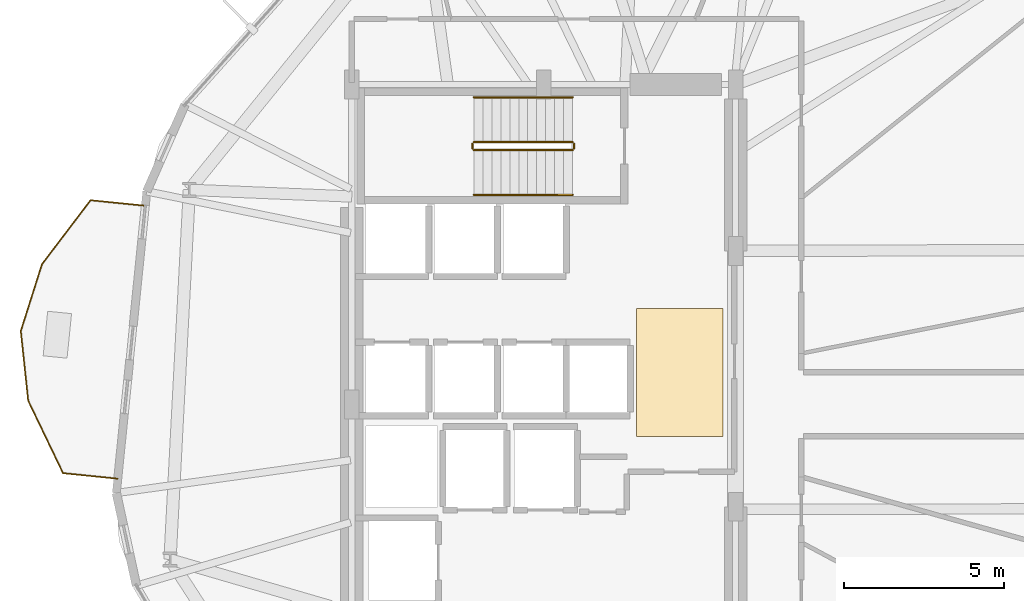
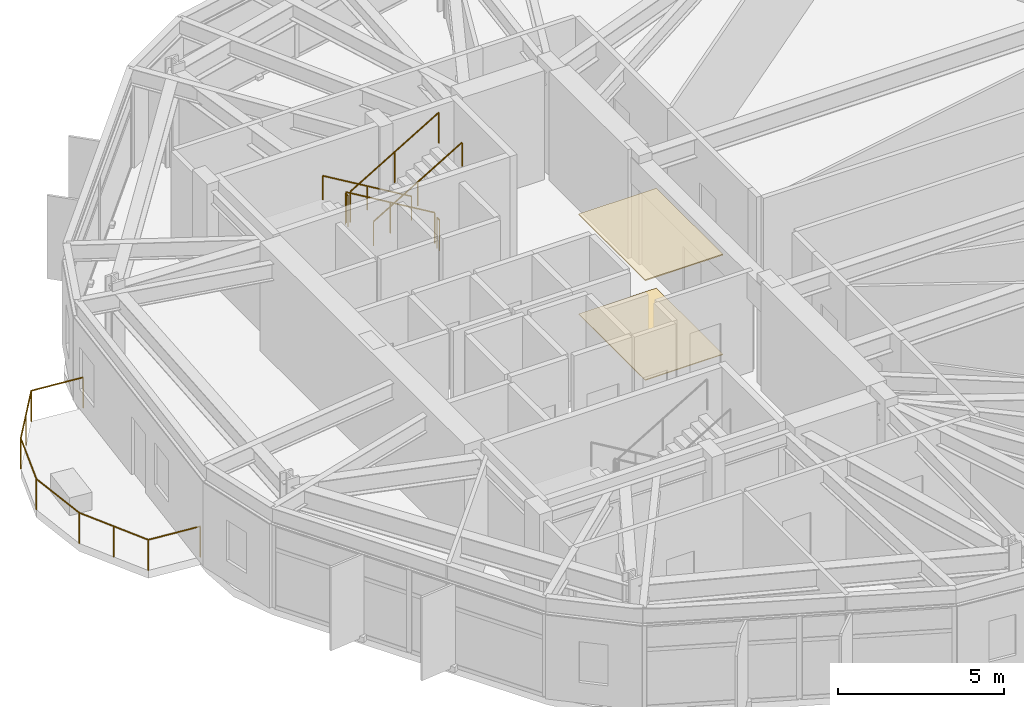
# One storey, part 21 of 22: 7 railings, 2 coverings.
"""IFC4 building model written with IfcOpenShell, lengths in metres."""

from ifc_helpers import new_model, si_unit, direction, frame, origin, origin_2d, place, context, subcontext, project, spatial, polyline, circle, outline, extrude, material, layer, layer_set, type_object, element, save


model = new_model("IFC4")

# Units and contexts
model_context = context("Model", 3, precision=1e-05, world=origin(), true_north=direction((0.0, 1.0)))
body_context = subcontext(model_context, "Body", "Model", "MODEL_VIEW")
ifc_project = project(units=[si_unit("LENGTHUNIT", "METRE"), si_unit("AREAUNIT", "SQUARE_METRE"), si_unit("VOLUMEUNIT", "CUBIC_METRE"), si_unit("PLANEANGLEUNIT", "RADIAN"), si_unit("MASSUNIT", "GRAM", prefix="KILO")], contexts=[model_context])

# Site, building, storey
site_placement = place(None, origin())
site = spatial("IfcSite", under=ifc_project, at=site_placement, CompositionType="ELEMENT")
building_placement = place(site_placement, origin())
building = spatial("IfcBuilding", under=site, at=building_placement, Name="Soratama Intermodal Tower", CompositionType="ELEMENT")
storey_placement = place(building_placement, frame((0.0, 0.0, 74.60009765625)))
storey = spatial("IfcBuildingStorey", under=building, at=storey_placement, Name="L17", CompositionType="ELEMENT", Elevation=74.60009765625)

# Coverings
ifc_material_1 = material(Name="Perforated mineral acoustic ceiling", Category="concrete")
ifc_layer_1 = layer(ifc_material_1, 0.0400390625)
ifc_layer_set_1 = layer_set([ifc_layer_1], Name="Perforated mineral acoustic ceiling")
covering_type_1 = type_object("IfcCoveringType", Name="CV-CEIL-ACOUSTIC", PredefinedType="CEILING", material=ifc_layer_set_1)
covering_1_placement = place(storey_placement, frame((0.0, 0.0, 3.659912109375)))
element("IfcCovering", 1, at=covering_1_placement, inside=storey, type_object=covering_type_1, Name="L17 Acoustic Ceiling", PredefinedType="CEILING", context=body_context, shape_type="SweptSolid", body=[
    extrude(outline(polyline([(41.5, 24.0), (44.199951171875, 24.0), (44.199951171875, 28.0), (41.5, 28.0), (41.5, 24.0)])), origin(), (0.0, 0.0, 1.0), 0.0400390625),
])
ifc_material_2 = material(Name="Polished Andean stone terrazzo flooring", Category="masonry")
ifc_layer_2 = layer(ifc_material_2, 0.030029296875)
ifc_layer_set_2 = layer_set([ifc_layer_2], Name="Polished Andean stone terrazzo flooring")
covering_type_2 = type_object("IfcCoveringType", Name="CV-FLOR-TERRAZZO", PredefinedType="FLOORING", material=ifc_layer_set_2)
covering_2_placement = place(storey_placement, origin())
element("IfcCovering", 2, at=covering_2_placement, inside=storey, type_object=covering_type_2, Name="L17 Lobby Terrazzo Flooring", PredefinedType="FLOORING", context=body_context, shape_type="SweptSolid", body=[
    extrude(outline(polyline([(41.5, 24.0), (44.199951171875, 24.0), (44.199951171875, 28.0), (41.5, 28.0), (41.5, 24.0)])), origin(), (0.0, 0.0, 1.0), 0.02978515625),
])

# Railings
ifc_material_3 = material(Name="Laminated glass and stainless steel balustrade", Category="steel")
railing_type_1 = type_object("IfcRailingType", Name="RL-BAL-1150", PredefinedType="BALUSTRADE", material=ifc_material_3)
railing_1_placement = place(storey_placement, frame((25.283935546875, 22.678466796875, 0.0)))
element("IfcRailing", 3, at=railing_1_placement, inside=storey, type_object=railing_type_1, Name="L17 Balcony Balustrade 2", PredefinedType="BALUSTRADE", context=body_context, shape_type="SweptSolid", body=[
    extrude(circle(Radius=0.02392578125, at=origin_2d()), frame((0.0, 0.0, 1.1259765625), z_axis=(-0.994938335761, 0.100487352599, 0.0), x_axis=(-0.100487352599, -0.994938335761, 0.0)), (0.0, 0.0, 1.0), 1.72021484375),
    extrude(circle(Radius=0.02392578125, at=origin_2d()), frame((-1.71142578125, 0.1728515625, 1.1259765625), z_axis=(-0.433365753254, 0.901218133365, 0.0), x_axis=(-0.901218133365, -0.433365753254, 0.0)), (0.0, 0.0, 1.0), 2.51318359375),
    extrude(circle(Radius=0.02392578125, at=origin_2d()), frame((-2.800537109375, 2.437744140625, 1.1259765625), z_axis=(-0.105647722892, 0.994403619587, 0.0), x_axis=(-0.994403619587, -0.105647722892, 0.0)), (0.0, 0.0, 1.0), 2.190673828125),
    extrude(circle(Radius=0.02392578125, at=origin_2d()), frame((-3.031982421875, 4.6162109375, 1.1259765625), z_axis=(0.302117899084, 0.9532705676, 0.0), x_axis=(-0.9532705676, 0.302117899084, 0.0)), (0.0, 0.0, 1.0), 2.190673828125),
    extrude(circle(Radius=0.02392578125, at=origin_2d()), frame((-2.3701171875, 6.70458984375, 1.1259765625), z_axis=(0.604637344962, 0.796500898353, 0.0), x_axis=(-0.796500898353, 0.604637344962, 0.0)), (0.0, 0.0, 1.0), 2.51318359375),
    extrude(circle(Radius=0.02392578125, at=origin_2d()), frame((-0.8505859375, 8.706298828125, 1.1259765625), z_axis=(0.994952516152, -0.100346851486, 0.0), x_axis=(0.100346851486, 0.994952516152, 0.0)), (0.0, 0.0, 1.0), 1.72021484375),
    extrude(circle(Radius=0.02099609375, at=origin_2d()), origin(), (0.0, 0.0, 1.0), 1.101806640625),
    extrude(circle(Radius=0.02099609375, at=origin_2d()), frame((-1.71142578125, 0.1728515625, 0.0)), (0.0, 0.0, 1.0), 1.101806640625),
    extrude(circle(Radius=0.02099609375, at=origin_2d()), frame((-2.255859375, 1.30517578125, 0.0)), (0.0, 0.0, 1.0), 1.101806640625),
    extrude(circle(Radius=0.02099609375, at=origin_2d()), frame((-2.800537109375, 2.437744140625, 0.0)), (0.0, 0.0, 1.0), 1.101806640625),
    extrude(circle(Radius=0.02099609375, at=origin_2d()), frame((-3.031982421875, 4.6162109375, 0.0)), (0.0, 0.0, 1.0), 1.101806640625),
    extrude(circle(Radius=0.02099609375, at=origin_2d()), frame((-2.3701171875, 6.70458984375, 0.0)), (0.0, 0.0, 1.0), 1.101806640625),
    extrude(circle(Radius=0.02099609375, at=origin_2d()), frame((-1.6103515625, 7.70556640625, 0.0)), (0.0, 0.0, 1.0), 1.101806640625),
    extrude(circle(Radius=0.02099609375, at=origin_2d()), frame((-0.8505859375, 8.706298828125, 0.0)), (0.0, 0.0, 1.0), 1.101806640625),
    extrude(circle(Radius=0.02099609375, at=origin_2d()), frame((0.86083984375, 8.53369140625, 0.0)), (0.0, 0.0, 1.0), 1.101806640625),
])
ifc_material_4 = material(Name="Painted steel stair guardrail", Category="steel")
railing_type_2 = type_object("IfcRailingType", Name="RL-STAIR-GUARD", PredefinedType="GUARDRAIL", material=ifc_material_4)
railing_2_placement = place(storey_placement, frame((39.5, 33.199951171875, 0.16650390625)))
element("IfcRailing", 4, at=railing_2_placement, inside=storey, type_object=railing_type_2, Name="L17 ST-2 stair guard 1", PredefinedType="GUARDRAIL", context=body_context, shape_type="SweptSolid", body=[
    extrude(circle(Radius=0.02392578125, at=origin_2d()), frame((0.0, 0.0, 1.1259765625), z_axis=(-0.85927862911, 0.0, 0.511507807912), x_axis=(0.0, -1.0, 0.0)), (0.0, 0.0, 1.0), 3.58447265625),
    extrude(circle(Radius=0.02099609375, at=origin_2d()), origin(), (0.0, 0.0, 1.0), 1.101806640625),
    extrude(circle(Radius=0.02099609375, at=origin_2d()), frame((-1.5400390625, 0.0, 0.916748046875)), (0.0, 0.0, 1.0), 1.101806640625),
    extrude(circle(Radius=0.02099609375, at=origin_2d()), frame((-3.080078125, 0.0, 1.83349609375)), (0.0, 0.0, 1.0), 1.101806640625),
])
railing_3_placement = place(storey_placement, frame((36.3701171875, 33.14990234375, 2.0)))
element("IfcRailing", 5, at=railing_3_placement, inside=storey, type_object=railing_type_2, Name="L17 ST-2 stair guard 2", PredefinedType="GUARDRAIL", context=body_context, shape_type="SweptSolid", body=[
    extrude(circle(Radius=0.02392578125, at=origin_2d()), frame((0.0, 0.0, 1.1259765625), z_axis=(0.0, -1.0, 0.0), x_axis=(1.0, 0.0, 0.0)), (0.0, 0.0, 1.0), 0.14990234375),
    extrude(circle(Radius=0.02099609375, at=origin_2d()), origin(), (0.0, 0.0, 1.0), 1.101806640625),
    extrude(circle(Radius=0.02099609375, at=origin_2d()), frame((0.0, -0.14990234375, 0.0)), (0.0, 0.0, 1.0), 1.101806640625),
])
railing_4_placement = place(storey_placement, frame((36.419921875, 32.949951171875, 2.16650390625)))
element("IfcRailing", 6, at=railing_4_placement, inside=storey, type_object=railing_type_2, Name="L17 ST-2 stair guard 3", PredefinedType="GUARDRAIL", context=body_context, shape_type="SweptSolid", body=[
    extrude(circle(Radius=0.02392578125, at=origin_2d()), frame((0.0, 0.0, 1.1259765625), z_axis=(0.85927862911, 0.0, 0.511507807912), x_axis=(0.0, 1.0, 0.0)), (0.0, 0.0, 1.0), 3.58447265625),
    extrude(circle(Radius=0.02099609375, at=origin_2d()), origin(), (0.0, 0.0, 1.0), 1.101806640625),
    extrude(circle(Radius=0.02099609375, at=origin_2d()), frame((1.5400390625, 0.0, 0.916748046875)), (0.0, 0.0, 1.0), 1.101806640625),
    extrude(circle(Radius=0.02099609375, at=origin_2d()), frame((3.080078125, 0.0, 1.83349609375)), (0.0, 0.0, 1.0), 1.101806640625),
])
railing_5_placement = place(storey_placement, frame((39.550048828125, 33.14990234375, 0.0)))
element("IfcRailing", 7, at=railing_5_placement, inside=storey, type_object=railing_type_2, Name="L17 ST-2 stair guard 4", PredefinedType="GUARDRAIL", context=body_context, shape_type="SweptSolid", body=[
    extrude(circle(Radius=0.02392578125, at=origin_2d()), frame((0.0, 0.0, 1.1259765625), z_axis=(0.0, -1.0, 0.0), x_axis=(1.0, 0.0, 0.0)), (0.0, 0.0, 1.0), 0.14990234375),
    extrude(circle(Radius=0.02099609375, at=origin_2d()), origin(), (0.0, 0.0, 1.0), 1.101806640625),
    extrude(circle(Radius=0.02099609375, at=origin_2d()), frame((0.0, -0.14990234375, 0.0)), (0.0, 0.0, 1.0), 1.101806640625),
])
ifc_material_5 = material(Name="Brushed stainless steel handrail", Category="steel")
railing_type_3 = type_object("IfcRailingType", Name="RL-STAIR-HAND", PredefinedType="HANDRAIL", material=ifc_material_5)
railing_6_placement = place(storey_placement, frame((39.5, 34.60009765625, 0.16650390625)))
element("IfcRailing", 8, at=railing_6_placement, inside=storey, type_object=railing_type_3, Name="L17 ST-2 stair handrail 1", PredefinedType="HANDRAIL", context=body_context, shape_type="SweptSolid", body=[
    extrude(circle(Radius=0.02392578125, at=origin_2d()), frame((0.0, 0.0, 0.8759765625), z_axis=(-0.85927862911, 0.0, 0.511507807912), x_axis=(0.0, -1.0, 0.0)), (0.0, 0.0, 1.0), 3.58447265625),
    extrude(circle(Radius=0.02099609375, at=origin_2d()), origin(), (0.0, 0.0, 1.0), 0.851806640625),
    extrude(circle(Radius=0.02099609375, at=origin_2d()), frame((-1.5400390625, 0.0, 0.916748046875)), (0.0, 0.0, 1.0), 0.851806640625),
    extrude(circle(Radius=0.02099609375, at=origin_2d()), frame((-3.080078125, 0.0, 1.83349609375)), (0.0, 0.0, 1.0), 0.851806640625),
])
railing_7_placement = place(storey_placement, frame((36.419921875, 31.550048828125, 2.16650390625)))
element("IfcRailing", 9, at=railing_7_placement, inside=storey, type_object=railing_type_3, Name="L17 ST-2 stair handrail 2", PredefinedType="HANDRAIL", context=body_context, shape_type="SweptSolid", body=[
    extrude(circle(Radius=0.02392578125, at=origin_2d()), frame((0.0, 0.0, 0.8759765625), z_axis=(0.85927862911, 0.0, 0.511507807912), x_axis=(0.0, 1.0, 0.0)), (0.0, 0.0, 1.0), 3.58447265625),
    extrude(circle(Radius=0.02099609375, at=origin_2d()), origin(), (0.0, 0.0, 1.0), 0.851806640625),
    extrude(circle(Radius=0.02099609375, at=origin_2d()), frame((1.5400390625, 0.0, 0.916748046875)), (0.0, 0.0, 1.0), 0.851806640625),
    extrude(circle(Radius=0.02099609375, at=origin_2d()), frame((3.080078125, 0.0, 1.83349609375)), (0.0, 0.0, 1.0), 0.851806640625),
])

save(model, "model.ifc")
